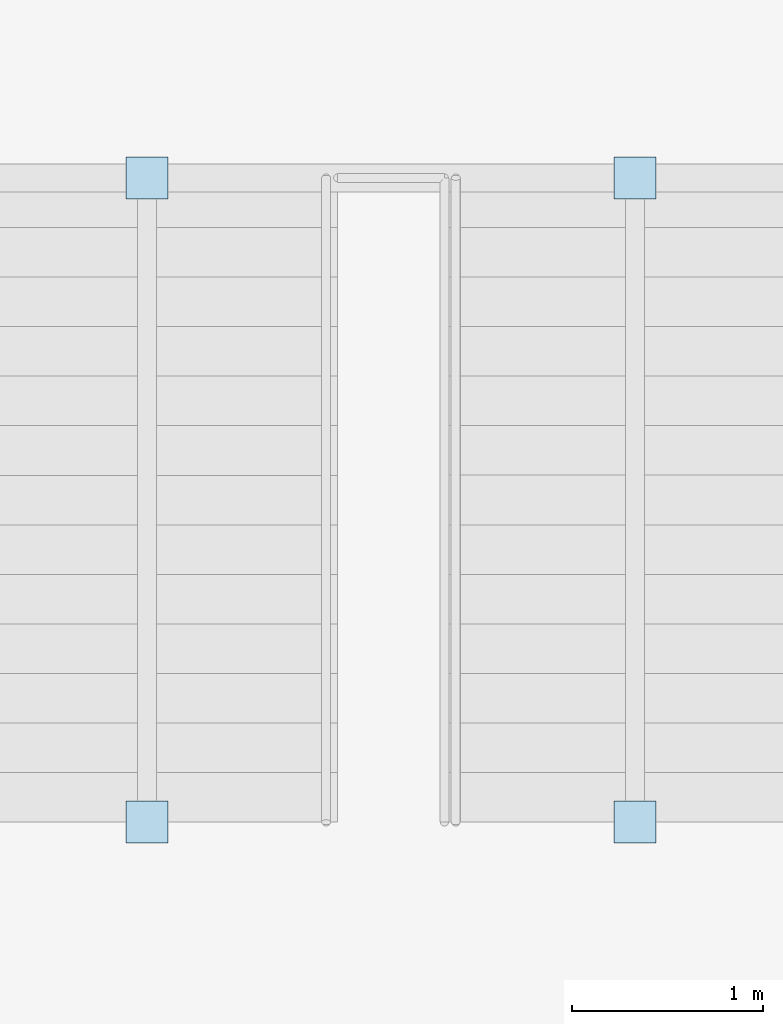
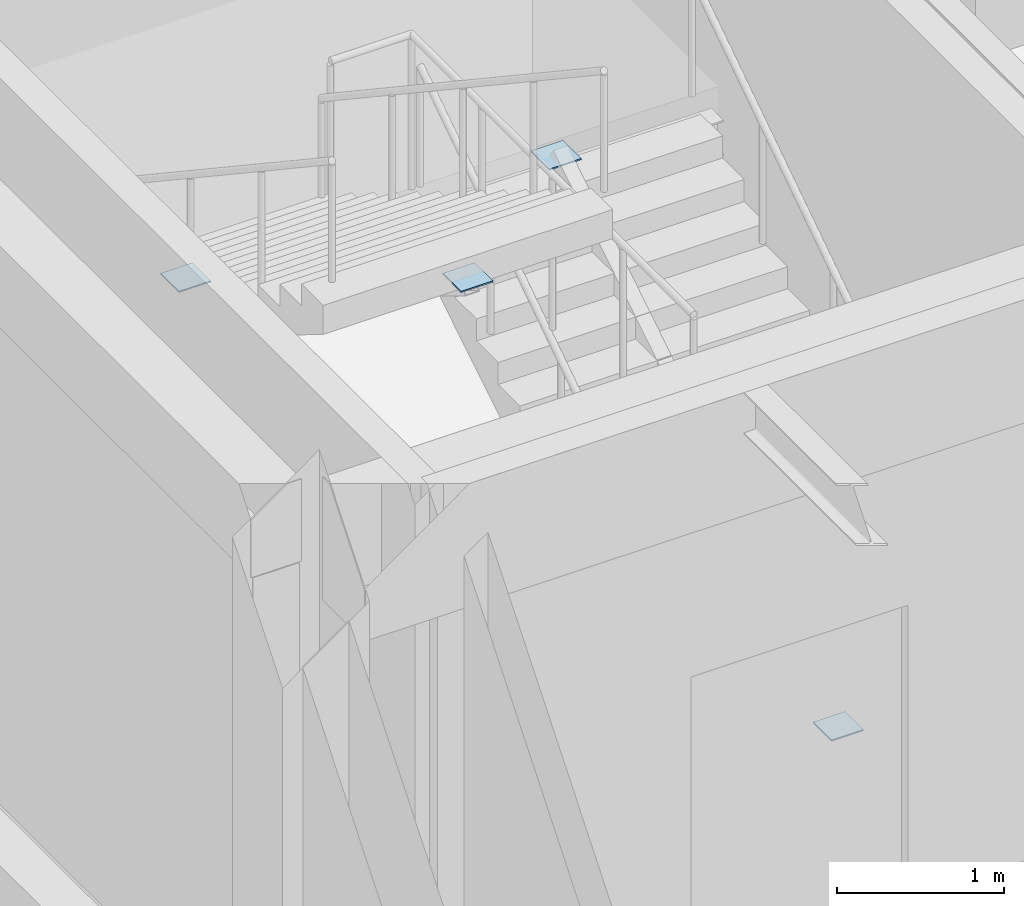
# One storey, part 73 of 93: 4 plates.
"""IFC4 building model written with IfcOpenShell, lengths in metres."""

from ifc_helpers import new_model, si_unit, direction, frame, origin, origin_2d, place, context, subcontext, project, spatial, rectangle, extrude, material, layer, layer_set, type_object, element, save


model = new_model("IFC4")

# Units and contexts
model_context = context("Model", 3, precision=1e-05, world=origin(), true_north=direction((0.0, 1.0)))
body_context = subcontext(model_context, "Body", "Model", "MODEL_VIEW")
ifc_project = project(units=[si_unit("LENGTHUNIT", "METRE"), si_unit("AREAUNIT", "SQUARE_METRE"), si_unit("VOLUMEUNIT", "CUBIC_METRE"), si_unit("PLANEANGLEUNIT", "RADIAN"), si_unit("MASSUNIT", "GRAM", prefix="KILO")], contexts=[model_context])

# Site, building, storey
site_placement = place(None, origin())
site = spatial("IfcSite", under=ifc_project, at=site_placement, CompositionType="ELEMENT")
building_placement = place(site_placement, origin())
building = spatial("IfcBuilding", under=site, at=building_placement, Name="Marnridge Secondary College", CompositionType="ELEMENT")
storey_placement = place(building_placement, origin())
storey = spatial("IfcBuildingStorey", under=building, at=storey_placement, Name="L00", CompositionType="ELEMENT", Elevation=0.0)

# Plates
ifc_material = material(Name="Structural steel plate Grade 350 (AS/NZS 3678, fy = 350 MPa <=12mm, 340 MPa 12-20mm, 330 MPa 20-50mm)", Category="steel")
ifc_layer = layer(ifc_material, 0.010009765625)
ifc_layer_set = layer_set([ifc_layer], Name="PT-CAP-INT")
plate_type = type_object("IfcPlateType", Name="PT-CAP-INT", PredefinedType="SHEET", material=ifc_layer_set)
for number, where, z_axis, x_axis, name in (
    (1, (130.580078125, 84.001708984375, 0.01123046875), (0.0, 0.0, 1.0), (0.0, 1.0, 0.0), "Tube end cap STR-057-EC1"),
    (2, (130.580078125, 87.37841796875, 2.1357421875), (0.0, 0.0, 1.0), (0.0, 1.0, 0.0), "Tube end cap STR-057-EC2"),
    (3, (128.02001953125, 87.37841796875, 2.13818359375), (0.0, 0.0, 1.0), (0.0, -1.0, 0.0), "Tube end cap STR-058-EC1"),
    (4, (128.02001953125, 84.001708984375, 4.18603515625), (0.0, 0.0, 1.0), (0.0, -1.0, 0.0), "Tube end cap STR-058-EC2"),
):
    element("IfcPlate", number, at=place(storey_placement, frame(where, z_axis=z_axis, x_axis=x_axis)), inside=storey, type_object=plate_type, Name=name, PredefinedType="SHEET", context=body_context, shape_type="SweptSolid", body=[
        extrude(rectangle(XDim=0.219970703125, YDim=0.219970703125, at=origin_2d()), origin(), (0.0, 0.0, 1.0), 0.010009765625),
    ])

save(model, "model.ifc")
